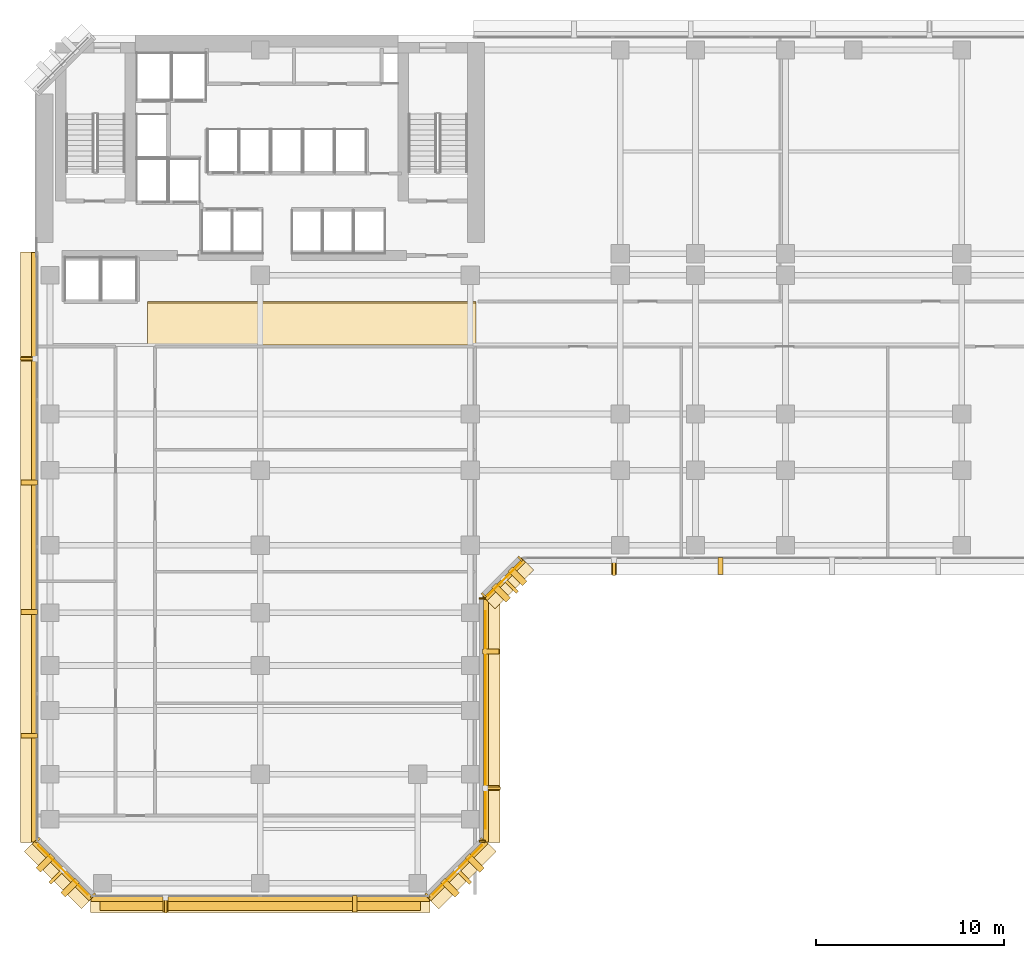
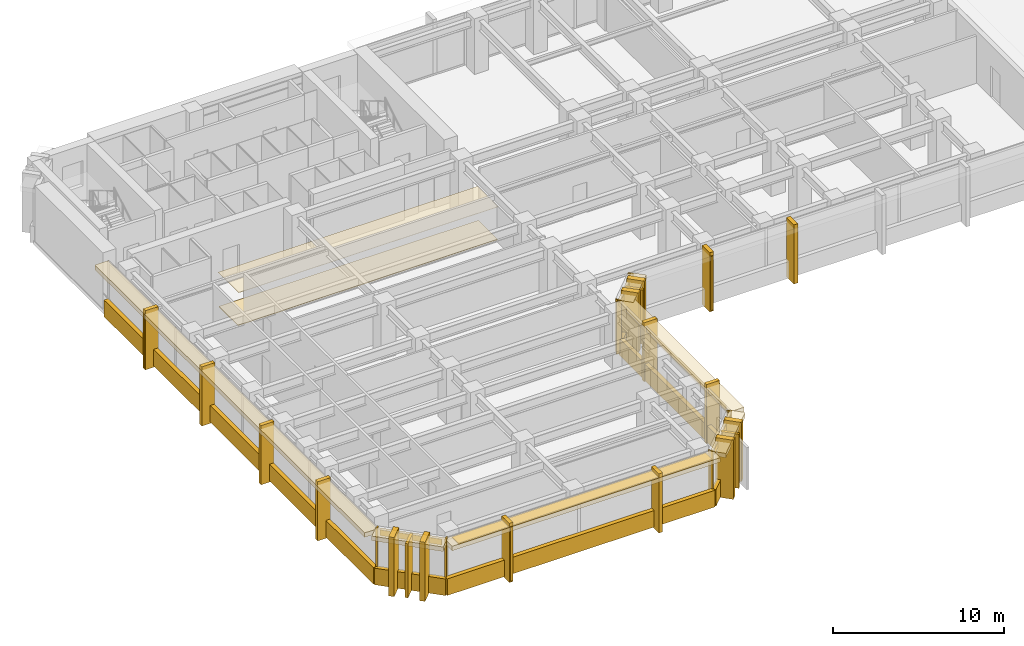
# One storey, part 9 of 13: 42 coverings, 8 shading devices.
"""IFC4 building model written with IfcOpenShell, lengths in metres."""

from ifc_helpers import new_model, si_unit, direction, frame, origin, origin_2d, place, context, subcontext, project, spatial, polyline, rectangle, outline, extrude, material, layer, layer_set, material_profile, profile_set, type_object, element, save


model = new_model("IFC4")

# Units and contexts
model_context = context("Model", 3, precision=1e-05, world=origin(), true_north=direction((0.0, 1.0)))
body_context = subcontext(model_context, "Body", "Model", "MODEL_VIEW")
ifc_project = project(units=[si_unit("LENGTHUNIT", "METRE"), si_unit("AREAUNIT", "SQUARE_METRE"), si_unit("VOLUMEUNIT", "CUBIC_METRE"), si_unit("PLANEANGLEUNIT", "RADIAN"), si_unit("MASSUNIT", "GRAM", prefix="KILO")], contexts=[model_context])

# Site, building, storey
site_placement = place(None, origin())
site = spatial("IfcSite", under=ifc_project, at=site_placement, CompositionType="ELEMENT")
building_placement = place(site_placement, origin())
building = spatial("IfcBuilding", under=site, at=building_placement, Name="Kefirva Bronze Tower", CompositionType="ELEMENT")
storey_placement = place(building_placement, frame((0.0, 0.0, 30.360107421875)))
storey = spatial("IfcBuildingStorey", under=building, at=storey_placement, Name="L06", CompositionType="ELEMENT", Elevation=30.360107421875)

# Coverings
ifc_material_1 = material(Name="Acoustic mineral tile")
ifc_layer_1 = layer(ifc_material_1, 0.02490234375, Name="Acoustic mineral tile")
ifc_layer_set_1 = layer_set([ifc_layer_1], Name="Acoustic mineral tile")
covering_type_1 = type_object("IfcCoveringType", Name="Acoustic Mineral Suspended Ceiling 25mm", PredefinedType="CEILING", material=ifc_layer_set_1)
covering_1_placement = place(storey_placement, frame((0.0, 0.0, 2.39990234375)))
element("IfcCovering", 1, at=covering_1_placement, inside=storey, type_object=covering_type_1, Name="L06 Corridor Acoustic Ceiling", PredefinedType="CEILING", context=body_context, shape_type="SweptSolid", body=[
    extrude(outline(polyline([(6.0, 29.39990234375), (23.5, 29.39990234375), (23.5, 31.800048828125), (6.0, 31.800048828125), (6.0, 29.39990234375)])), origin(), (0.0, 0.0, 1.0), 0.02490234375),
])
ifc_material_2 = material(Name="Bronze anodised aluminium", Category="aluminium")
ifc_layer_2 = layer(ifc_material_2, 0.02001953125, Name="Bronze anodised aluminium")
ifc_layer_set_2 = layer_set([ifc_layer_2], Name="Bronze anodised aluminium")
covering_type_2 = type_object("IfcCoveringType", Name="Anodised Bronze Spandrel Cladding 20mm", PredefinedType="CLADDING", material=ifc_layer_set_2)
covering_2_placement = place(storey_placement, frame((12.0, -0.0400390625, -0.16015625), z_axis=(0.0, 0.0, 1.0), x_axis=(1.0, 0.0, 0.0)))
element("IfcCovering", 2, at=covering_2_placement, inside=storey, type_object=covering_type_2, Name="L06 Streamline Horizontal Spandrel Band 0", PredefinedType="CLADDING", context=body_context, shape_type="SweptSolid", body=[
    extrude(rectangle(XDim=18.0400390625, YDim=0.280029296875, at=origin_2d()), origin(), (0.0, 0.0, 1.0), 1.179931640625),
])
covering_3_placement = place(storey_placement, frame((22.507080078125, 1.492919921875, 3.2900390625), z_axis=(0.0, 0.0, 1.0), x_axis=(0.707106781187, 0.707106781187, 0.0)))
element("IfcCovering", 3, at=covering_3_placement, inside=storey, type_object=covering_type_2, Name="L06 Bronze Spandrel Cladding 1", PredefinedType="CLADDING", context=body_context, shape_type="SweptSolid", body=[
    extrude(rectangle(XDim=3.719482421875, YDim=0.02001953125, at=origin_2d()), origin(), (0.0, 0.0, 1.0), 0.39990234375),
])
for number, where, z_axis, x_axis, name in (
    (4, (20.91162109375, 0.137939453125, 0.0), (0.0, 0.0, 1.0), (0.707106781187, 0.707106781187, 0.0), "L06 Facade Joint Closure Panel 1S"),
    (5, (23.862060546875, 3.08837890625, 0.0), (0.0, 0.0, 1.0), (0.707106781187, 0.707106781187, 0.0), "L06 Facade Joint Closure Panel 1E"),
):
    element("IfcCovering", number, at=place(storey_placement, frame(where, z_axis=z_axis, x_axis=x_axis)), inside=storey, type_object=covering_type_2, Name=name, PredefinedType="CLADDING", context=body_context, shape_type="SweptSolid", body=[
        extrude(rectangle(XDim=0.10009765625, YDim=0.320068359375, at=origin_2d()), origin(), (0.0, 0.0, 1.0), 3.7099609375),
    ])
covering_4_placement = place(storey_placement, frame((22.5283203125, 1.4716796875, -0.16015625), z_axis=(0.0, 0.0, 1.0), x_axis=(0.707106781187, 0.707106781187, 0.0)))
element("IfcCovering", 6, at=covering_4_placement, inside=storey, type_object=covering_type_2, Name="L06 Streamline Horizontal Spandrel Band 1", PredefinedType="CLADDING", context=body_context, shape_type="SweptSolid", body=[
    extrude(rectangle(XDim=4.28271484375, YDim=0.280029296875, at=origin_2d()), origin(), (0.0, 0.0, 1.0), 1.179931640625),
])
covering_5_placement = place(storey_placement, frame((24.010009765625, 9.5, 3.2900390625), z_axis=(0.0, 0.0, 1.0), x_axis=(0.0, 1.0, 0.0)))
element("IfcCovering", 7, at=covering_5_placement, inside=storey, type_object=covering_type_2, Name="L06 Bronze Spandrel Cladding 2", PredefinedType="CLADDING", context=body_context, shape_type="SweptSolid", body=[
    extrude(rectangle(XDim=11.60107421875, YDim=0.02001953125, at=origin_2d()), origin(), (0.0, 0.0, 1.0), 0.39990234375),
])
for number, where, z_axis, x_axis, name in (
    (8, (23.840087890625, 3.034912109375, 0.0), (0.0, 0.0, 1.0), (0.0, 1.0, 0.0), "L06 Facade Joint Closure Panel 2S"),
    (9, (23.840087890625, 15.965087890625, 0.0), (0.0, 0.0, 1.0), (0.0, 1.0, 0.0), "L06 Facade Joint Closure Panel 2E"),
):
    element("IfcCovering", number, at=place(storey_placement, frame(where, z_axis=z_axis, x_axis=x_axis)), inside=storey, type_object=covering_type_2, Name=name, PredefinedType="CLADDING", context=body_context, shape_type="SweptSolid", body=[
        extrude(rectangle(XDim=0.10009765625, YDim=0.320068359375, at=origin_2d()), origin(), (0.0, 0.0, 1.0), 3.7099609375),
    ])
covering_6_placement = place(storey_placement, frame((24.0400390625, 9.5, -0.16015625), z_axis=(0.0, 0.0, 1.0), x_axis=(0.0, 1.0, 0.0)))
element("IfcCovering", 10, at=covering_6_placement, inside=storey, type_object=covering_type_2, Name="L06 Streamline Horizontal Spandrel Band 2", PredefinedType="CLADDING", context=body_context, shape_type="SweptSolid", body=[
    extrude(rectangle(XDim=13.0400390625, YDim=0.280029296875, at=origin_2d()), origin(), (0.0, 0.0, 1.0), 1.179931640625),
])
covering_7_placement = place(storey_placement, frame((25.007080078125, 16.992919921875, 3.2900390625), z_axis=(0.0, 0.0, 1.0), x_axis=(0.707106781187, 0.707106781187, 0.0)))
element("IfcCovering", 11, at=covering_7_placement, inside=storey, type_object=covering_type_2, Name="L06 Bronze Spandrel Cladding 3", PredefinedType="CLADDING", context=body_context, shape_type="SweptSolid", body=[
    extrude(rectangle(XDim=2.446533203125, YDim=0.02001953125, at=origin_2d()), origin(), (0.0, 0.0, 1.0), 0.39990234375),
])
for number, where, z_axis, x_axis, name in (
    (12, (23.91162109375, 16.137939453125, 0.0), (0.0, 0.0, 1.0), (0.707106781187, 0.707106781187, 0.0), "L06 Facade Joint Closure Panel 3S"),
    (13, (25.862060546875, 18.08837890625, 0.0), (0.0, 0.0, 1.0), (0.707106781187, 0.707106781187, 0.0), "L06 Facade Joint Closure Panel 3E"),
):
    element("IfcCovering", number, at=place(storey_placement, frame(where, z_axis=z_axis, x_axis=x_axis)), inside=storey, type_object=covering_type_2, Name=name, PredefinedType="CLADDING", context=body_context, shape_type="SweptSolid", body=[
        extrude(rectangle(XDim=0.10009765625, YDim=0.320068359375, at=origin_2d()), origin(), (0.0, 0.0, 1.0), 3.7099609375),
    ])
covering_8_placement = place(storey_placement, frame((25.0283203125, 16.9716796875, -0.16015625), z_axis=(0.0, 0.0, 1.0), x_axis=(0.707106781187, 0.707106781187, 0.0)))
element("IfcCovering", 14, at=covering_8_placement, inside=storey, type_object=covering_type_2, Name="L06 Streamline Horizontal Spandrel Band 3", PredefinedType="CLADDING", context=body_context, shape_type="SweptSolid", body=[
    extrude(rectangle(XDim=2.868408203125, YDim=0.280029296875, at=origin_2d()), origin(), (0.0, 0.0, 1.0), 1.179931640625),
])
covering_9_placement = place(storey_placement, frame((-0.0400390625, 18.697509765625, -0.16015625), z_axis=(0.0, 0.0, 1.0), x_axis=(0.0, -1.0, 0.0)))
element("IfcCovering", 15, at=covering_9_placement, inside=storey, type_object=covering_type_2, Name="L06 Streamline Horizontal Spandrel Band 10", PredefinedType="CLADDING", context=body_context, shape_type="SweptSolid", body=[
    extrude(rectangle(XDim=31.43505859375, YDim=0.280029296875, at=origin_2d()), origin(), (0.0, 0.0, 1.0), 1.179931640625),
])
covering_10_placement = place(storey_placement, frame((1.492919921875, 1.492919921875, 3.2900390625), z_axis=(0.0, 0.0, 1.0), x_axis=(0.707106781187, -0.707106781187, 0.0)))
element("IfcCovering", 16, at=covering_10_placement, inside=storey, type_object=covering_type_2, Name="L06 Bronze Spandrel Cladding 8", PredefinedType="CLADDING", context=body_context, shape_type="SweptSolid", body=[
    extrude(rectangle(XDim=3.719482421875, YDim=0.02001953125, at=origin_2d()), origin(), (0.0, 0.0, 1.0), 0.39990234375),
])
for number, where, z_axis, x_axis, name in (
    (17, (0.137939453125, 3.08837890625, 0.0), (0.0, 0.0, 1.0), (0.707106781187, -0.707106781187, 0.0), "L06 Facade Joint Closure Panel 8S"),
    (18, (3.08837890625, 0.137939453125, 0.0), (0.0, 0.0, 1.0), (0.707106781187, -0.707106781187, 0.0), "L06 Facade Joint Closure Panel 8E"),
):
    element("IfcCovering", number, at=place(storey_placement, frame(where, z_axis=z_axis, x_axis=x_axis)), inside=storey, type_object=covering_type_2, Name=name, PredefinedType="CLADDING", context=body_context, shape_type="SweptSolid", body=[
        extrude(rectangle(XDim=0.10009765625, YDim=0.320068359375, at=origin_2d()), origin(), (0.0, 0.0, 1.0), 3.7099609375),
    ])
covering_11_placement = place(storey_placement, frame((1.4716796875, 1.4716796875, -0.16015625), z_axis=(0.0, 0.0, 1.0), x_axis=(0.707106781187, -0.707106781187, 0.0)))
element("IfcCovering", 19, at=covering_11_placement, inside=storey, type_object=covering_type_2, Name="L06 Streamline Horizontal Spandrel Band 11", PredefinedType="CLADDING", context=body_context, shape_type="SweptSolid", body=[
    extrude(rectangle(XDim=4.28271484375, YDim=0.280029296875, at=origin_2d()), origin(), (0.0, 0.0, 1.0), 1.179931640625),
])

# Shading devices
ifc_material_profile_1 = material_profile(ifc_material_2, rectangle(XDim=0.179931640625, YDim=1.080078125, at=origin_2d()), Name="BRONZE BUTTRESS FIN 180x1080")
ifc_profile_set_1 = profile_set([ifc_material_profile_1], Name="Bronze anodised aluminium")
shading_device_type_1 = type_object("IfcShadingDeviceType", Name="Chamfered Corner Buttress Bronze Fin 1080mm", PredefinedType="USERDEFINED", material=ifc_profile_set_1)
for number, where, z_axis, x_axis, name in (
    (20, (22.8251953125, 1.1748046875, -0.14013671875), (0.0, 0.0, 1.0), (0.707106781187, 0.707106781187, 0.0), "L06 Chamfered Corner Buttress Fin 4"),
    (21, (25.3251953125, 16.6748046875, -0.14013671875), (0.0, 0.0, 1.0), (0.707106781187, 0.707106781187, 0.0), "L06 Chamfered Corner Buttress Fin 8"),
    (22, (1.1748046875, 1.1748046875, -0.14013671875), (0.0, 0.0, 1.0), (0.707106781187, -0.707106781187, 0.0), "L06 Chamfered Corner Buttress Fin 28"),
):
    element("IfcShadingDevice", number, at=place(storey_placement, frame(where, z_axis=z_axis, x_axis=x_axis)), inside=storey, type_object=shading_device_type_1, Name=name, ObjectType="VERTICAL FIN", PredefinedType="USERDEFINED", context=body_context, shape_type="SweptSolid", body=[
        extrude(rectangle(XDim=0.179931640625, YDim=1.080078125, at=origin_2d()), origin(), (0.0, 0.0, 1.0), 3.85009765625),
    ])
ifc_layer_3 = layer(ifc_material_2, 0.090087890625, Name="Bronze anodised aluminium")
ifc_layer_set_3 = layer_set([ifc_layer_3], Name="Bronze anodised aluminium")
shading_device_type_2 = type_object("IfcShadingDeviceType", Name="Horizontal Bronze Sunshade Band 750mm", PredefinedType="JALOUSIE", material=ifc_layer_set_3)
shading_device_placement = place(storey_placement, frame((12.0, -0.294921875, 3.60498046875), z_axis=(0.0, 0.0, 1.0), x_axis=(1.0, 0.0, 0.0)))
element("IfcShadingDevice", 23, at=shading_device_placement, inside=storey, type_object=shading_device_type_2, Name="L06 Horizontal Bronze Sunshade Band 0", PredefinedType="JALOUSIE", context=body_context, shape_type="SweptSolid", body=[
    extrude(rectangle(XDim=17.090087890625, YDim=0.75, at=origin_2d()), origin(), (0.0, 0.0, 1.0), 0.090087890625),
])

# Coverings
ifc_material_3 = material(Name="Calcium sulphate access tile")
ifc_layer_4 = layer(ifc_material_3, 0.044921875, Name="Calcium sulphate access tile")
ifc_layer_set_4 = layer_set([ifc_layer_4], Name="Calcium sulphate access tile")
covering_type_3 = type_object("IfcCoveringType", Name="Raised Access Office Flooring 45mm", PredefinedType="FLOORING", material=ifc_layer_set_4)
covering_12_placement = place(storey_placement, origin())
element("IfcCovering", 24, at=covering_12_placement, inside=storey, type_object=covering_type_3, Name="L06 Architectural Finish Flooring", PredefinedType="FLOORING", context=body_context, shape_type="SweptSolid", body=[
    extrude(outline(polyline([(6.0, 29.47998046875), (23.5, 29.47998046875), (23.5, 31.719970703125), (6.0, 31.719970703125), (6.0, 29.47998046875)])), origin(), (0.0, 0.0, 1.0), 0.044921875),
])
ifc_layer_5 = layer(ifc_material_2, 0.179931640625, Name="Bronze anodised aluminium")
ifc_layer_set_5 = layer_set([ifc_layer_5], Name="Bronze anodised aluminium")
covering_type_4 = type_object("IfcCoveringType", Name="Streamline Bronze Sunshade Eyebrow Cladding 180mm", PredefinedType="CLADDING", material=ifc_layer_set_5)
covering_13_placement = place(storey_placement, frame((12.0, -0.31005859375, 3.3896484375), z_axis=(0.0, 0.0, 1.0), x_axis=(1.0, 0.0, 0.0)))
element("IfcCovering", 25, at=covering_13_placement, inside=storey, type_object=covering_type_4, Name="L06 Streamline Bronze Sunshade Eyebrow 0", PredefinedType="CLADDING", context=body_context, shape_type="SweptSolid", body=[
    extrude(rectangle(XDim=18.080078125, YDim=0.93994140625, at=origin_2d()), origin(), (0.0, 0.0, 1.0), 0.320068359375),
])
covering_14_placement = place(storey_placement, frame((22.71923828125, 1.28076171875, 3.3896484375), z_axis=(0.0, 0.0, 1.0), x_axis=(0.707106781187, 0.707106781187, 0.0)))
element("IfcCovering", 26, at=covering_14_placement, inside=storey, type_object=covering_type_4, Name="L06 Streamline Bronze Sunshade Eyebrow 1", PredefinedType="CLADDING", context=body_context, shape_type="SweptSolid", body=[
    extrude(rectangle(XDim=4.322509765625, YDim=0.93994140625, at=origin_2d()), origin(), (0.0, 0.0, 1.0), 0.320068359375),
])
covering_15_placement = place(storey_placement, frame((24.31005859375, 9.5, 3.3896484375), z_axis=(0.0, 0.0, 1.0), x_axis=(0.0, 1.0, 0.0)))
element("IfcCovering", 27, at=covering_15_placement, inside=storey, type_object=covering_type_4, Name="L06 Streamline Bronze Sunshade Eyebrow 2", PredefinedType="CLADDING", context=body_context, shape_type="SweptSolid", body=[
    extrude(rectangle(XDim=13.080078125, YDim=0.93994140625, at=origin_2d()), origin(), (0.0, 0.0, 1.0), 0.320068359375),
])
covering_16_placement = place(storey_placement, frame((25.21923828125, 16.78076171875, 3.3896484375), z_axis=(0.0, 0.0, 1.0), x_axis=(0.707106781187, 0.707106781187, 0.0)))
element("IfcCovering", 28, at=covering_16_placement, inside=storey, type_object=covering_type_4, Name="L06 Streamline Bronze Sunshade Eyebrow 3", PredefinedType="CLADDING", context=body_context, shape_type="SweptSolid", body=[
    extrude(rectangle(XDim=2.908447265625, YDim=0.93994140625, at=origin_2d()), origin(), (0.0, 0.0, 1.0), 0.320068359375),
])
covering_17_placement = place(storey_placement, frame((-0.31005859375, 18.697509765625, 3.3896484375), z_axis=(0.0, 0.0, 1.0), x_axis=(0.0, -1.0, 0.0)))
element("IfcCovering", 29, at=covering_17_placement, inside=storey, type_object=covering_type_4, Name="L06 Streamline Bronze Sunshade Eyebrow 10", PredefinedType="CLADDING", context=body_context, shape_type="SweptSolid", body=[
    extrude(rectangle(XDim=31.47509765625, YDim=0.93994140625, at=origin_2d()), origin(), (0.0, 0.0, 1.0), 0.320068359375),
])
covering_18_placement = place(storey_placement, frame((1.28076171875, 1.28076171875, 3.3896484375), z_axis=(0.0, 0.0, 1.0), x_axis=(0.707106781187, -0.707106781187, 0.0)))
element("IfcCovering", 30, at=covering_18_placement, inside=storey, type_object=covering_type_4, Name="L06 Streamline Bronze Sunshade Eyebrow 11", PredefinedType="CLADDING", context=body_context, shape_type="SweptSolid", body=[
    extrude(rectangle(XDim=4.322509765625, YDim=0.93994140625, at=origin_2d()), origin(), (0.0, 0.0, 1.0), 0.320068359375),
])
ifc_layer_6 = layer(ifc_material_2, 0.260009765625, Name="Bronze anodised aluminium")
ifc_layer_set_6 = layer_set([ifc_layer_6], Name="Bronze anodised aluminium")
covering_type_5 = type_object("IfcCoveringType", Name="Unbroken Bronze Buttress Fin Cladding 260mm", PredefinedType="CLADDING", material=ifc_layer_set_6)
for number, where, z_axis, x_axis, name in (
    (31, (6.9599609375, -0.300048828125, -0.25), (0.0, 0.0, 1.0), (1.0, 0.0, 0.0), "L06 Unbroken Vertical Bronze Rib Fin 1"),
    (32, (17.0400390625, -0.300048828125, -0.25), (0.0, 0.0, 1.0), (1.0, 0.0, 0.0), "L06 Unbroken Vertical Bronze Rib Fin 2"),
):
    element("IfcCovering", number, at=place(storey_placement, frame(where, z_axis=z_axis, x_axis=x_axis)), inside=storey, type_object=covering_type_5, Name=name, PredefinedType="CLADDING", context=body_context, shape_type="SweptSolid", body=[
        extrude(rectangle(XDim=0.260009765625, YDim=0.8798828125, at=origin_2d()), origin(), (0.0, 0.0, 1.0), 4.2099609375),
    ])
for number, where, z_axis, x_axis, name in (
    (33, (22.122802734375, 0.55712890625, -0.25), (0.0, 0.0, 1.0), (0.707106781187, 0.707106781187, 0.0), "L06 Chamfered Corner Buttress Fin Cladding 3"),
    (34, (23.44287109375, 1.877197265625, -0.25), (0.0, 0.0, 1.0), (0.707106781187, 0.707106781187, 0.0), "L06 Chamfered Corner Buttress Fin Cladding 4"),
):
    element("IfcCovering", number, at=place(storey_placement, frame(where, z_axis=z_axis, x_axis=x_axis)), inside=storey, type_object=covering_type_5, Name=name, PredefinedType="CLADDING", context=body_context, shape_type="SweptSolid", body=[
        extrude(rectangle(XDim=0.340087890625, YDim=1.080078125, at=origin_2d()), origin(), (0.0, 0.0, 1.0), 4.2099609375),
    ])
for number, where, z_axis, x_axis, name in (
    (35, (24.300048828125, 5.860107421875, -0.25), (0.0, 0.0, 1.0), (0.0, 1.0, 0.0), "L06 Unbroken Vertical Bronze Rib Fin 5"),
    (36, (24.300048828125, 13.139892578125, -0.25), (0.0, 0.0, 1.0), (0.0, 1.0, 0.0), "L06 Unbroken Vertical Bronze Rib Fin 6"),
):
    element("IfcCovering", number, at=place(storey_placement, frame(where, z_axis=z_axis, x_axis=x_axis)), inside=storey, type_object=covering_type_5, Name=name, PredefinedType="CLADDING", context=body_context, shape_type="SweptSolid", body=[
        extrude(rectangle(XDim=0.260009765625, YDim=0.8798828125, at=origin_2d()), origin(), (0.0, 0.0, 1.0), 4.2099609375),
    ])
for number, where, z_axis, x_axis, name in (
    (37, (24.8427734375, 16.277099609375, -0.25), (0.0, 0.0, 1.0), (0.707106781187, 0.707106781187, 0.0), "L06 Chamfered Corner Buttress Fin Cladding 7"),
    (38, (25.722900390625, 17.1572265625, -0.25), (0.0, 0.0, 1.0), (0.707106781187, 0.707106781187, 0.0), "L06 Chamfered Corner Buttress Fin Cladding 8"),
):
    element("IfcCovering", number, at=place(storey_placement, frame(where, z_axis=z_axis, x_axis=x_axis)), inside=storey, type_object=covering_type_5, Name=name, PredefinedType="CLADDING", context=body_context, shape_type="SweptSolid", body=[
        extrude(rectangle(XDim=0.340087890625, YDim=1.080078125, at=origin_2d()), origin(), (0.0, 0.0, 1.0), 4.2099609375),
    ])
for number, where, z_axis, x_axis, name in (
    (39, (30.860107421875, 17.699951171875, -0.25), (0.0, 0.0, 1.0), (1.0, 0.0, 0.0), "L06 Unbroken Vertical Bronze Rib Fin 9"),
    (40, (36.530029296875, 17.699951171875, -0.25), (0.0, 0.0, 1.0), (1.0, 0.0, 0.0), "L06 Unbroken Vertical Bronze Rib Fin 10"),
    (41, (-0.300048828125, 28.743896484375, -0.25), (0.0, 0.0, 1.0), (0.0, -1.0, 0.0), "L06 Unbroken Vertical Bronze Rib Fin 23"),
    (42, (-0.300048828125, 22.15087890625, -0.25), (0.0, 0.0, 1.0), (0.0, -1.0, 0.0), "L06 Unbroken Vertical Bronze Rib Fin 24"),
    (43, (-0.300048828125, 15.244140625, -0.25), (0.0, 0.0, 1.0), (0.0, -1.0, 0.0), "L06 Unbroken Vertical Bronze Rib Fin 25"),
    (44, (-0.300048828125, 8.651123046875, -0.25), (0.0, 0.0, 1.0), (0.0, -1.0, 0.0), "L06 Unbroken Vertical Bronze Rib Fin 26"),
):
    element("IfcCovering", number, at=place(storey_placement, frame(where, z_axis=z_axis, x_axis=x_axis)), inside=storey, type_object=covering_type_5, Name=name, PredefinedType="CLADDING", context=body_context, shape_type="SweptSolid", body=[
        extrude(rectangle(XDim=0.260009765625, YDim=0.8798828125, at=origin_2d()), origin(), (0.0, 0.0, 1.0), 4.2099609375),
    ])
for number, where, z_axis, x_axis, name in (
    (45, (0.55712890625, 1.877197265625, -0.25), (0.0, 0.0, 1.0), (0.707106781187, -0.707106781187, 0.0), "L06 Chamfered Corner Buttress Fin Cladding 27"),
    (46, (1.877197265625, 0.55712890625, -0.25), (0.0, 0.0, 1.0), (0.707106781187, -0.707106781187, 0.0), "L06 Chamfered Corner Buttress Fin Cladding 28"),
):
    element("IfcCovering", number, at=place(storey_placement, frame(where, z_axis=z_axis, x_axis=x_axis)), inside=storey, type_object=covering_type_5, Name=name, PredefinedType="CLADDING", context=body_context, shape_type="SweptSolid", body=[
        extrude(rectangle(XDim=0.340087890625, YDim=1.080078125, at=origin_2d()), origin(), (0.0, 0.0, 1.0), 4.2099609375),
    ])

# Shading devices
ifc_material_profile_2 = material_profile(ifc_material_2, rectangle(XDim=0.139892578125, YDim=0.8798828125, at=origin_2d()), Name="BRONZE FIN 140x880")
ifc_profile_set_2 = profile_set([ifc_material_profile_2], Name="Bronze anodised aluminium")
shading_device_type_3 = type_object("IfcShadingDeviceType", Name="Unbroken Vertical Bronze Facade Fin 880mm", PredefinedType="USERDEFINED", material=ifc_profile_set_2)
for number, where, z_axis, x_axis, name in (
    (47, (6.9599609375, -0.360107421875, -0.14013671875), (0.0, 0.0, 1.0), (1.0, 0.0, 0.0), "L06 Vertical Bronze Rib Fin 1"),
    (48, (24.360107421875, 5.860107421875, -0.14013671875), (0.0, 0.0, 1.0), (0.0, 1.0, 0.0), "L06 Vertical Bronze Rib Fin 5"),
    (49, (30.860107421875, 17.639892578125, -0.14013671875), (0.0, 0.0, 1.0), (1.0, 0.0, 0.0), "L06 Vertical Bronze Rib Fin 9"),
    (50, (-0.360107421875, 28.743896484375, -0.14013671875), (0.0, 0.0, 1.0), (0.0, -1.0, 0.0), "L06 Vertical Bronze Rib Fin 23"),
):
    element("IfcShadingDevice", number, at=place(storey_placement, frame(where, z_axis=z_axis, x_axis=x_axis)), inside=storey, type_object=shading_device_type_3, Name=name, ObjectType="VERTICAL FIN", PredefinedType="USERDEFINED", context=body_context, shape_type="SweptSolid", body=[
        extrude(rectangle(XDim=0.139892578125, YDim=0.8798828125, at=origin_2d()), origin(), (0.0, 0.0, 1.0), 3.85009765625),
    ])

save(model, "model.ifc")
